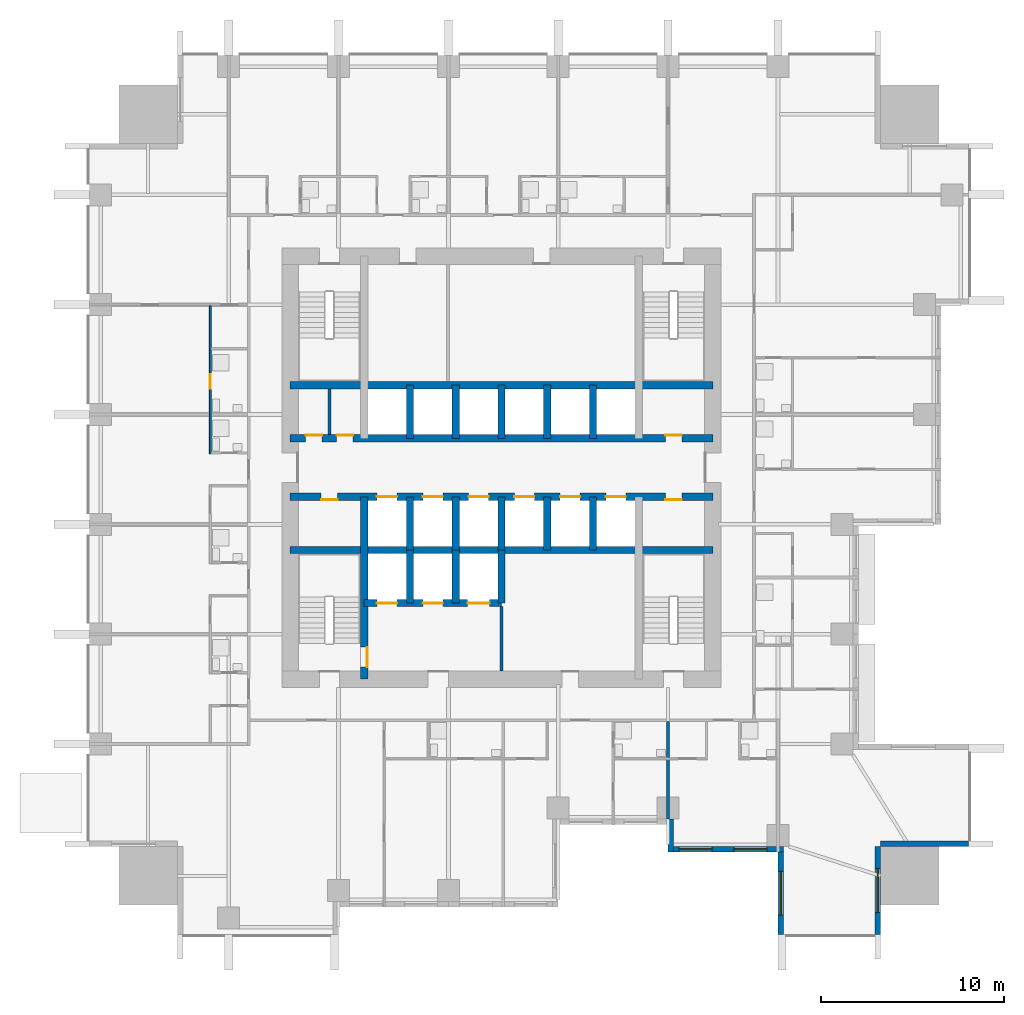
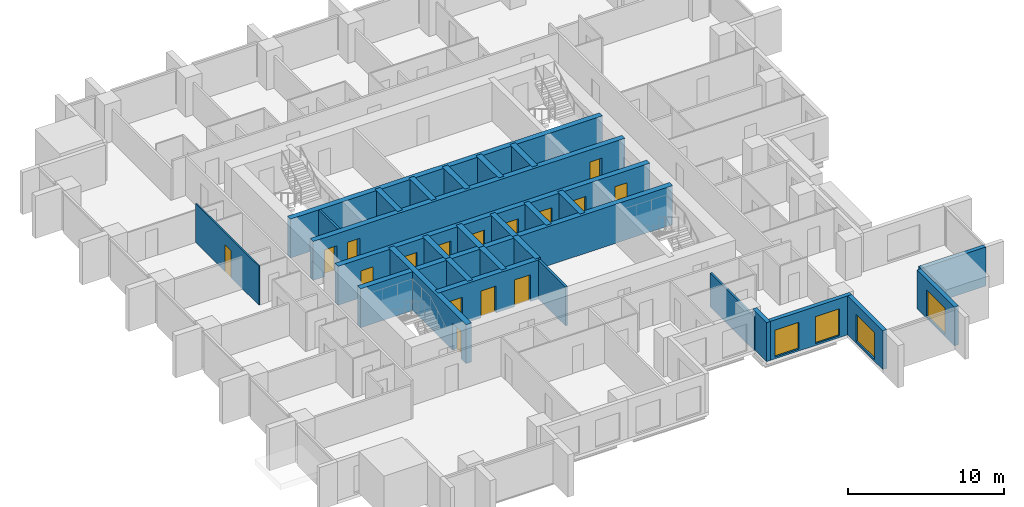
# One storey, part 5 of 10: 28 walls, 16 doors, 4 windows, 20 openings.
"""IFC4 building model written with IfcOpenShell, lengths in metres."""

from ifc_helpers import new_model, si_unit, direction, frame, frame_2d, origin, place, context, subcontext, project, spatial, rectangle, extrude, material, layer, layer_set, type_object, element, fill, save


model = new_model("IFC4")

# Units and contexts
model_context = context("Model", 3, precision=1e-05, world=origin(), true_north=direction((0.0, 1.0)))
body_context = subcontext(model_context, "Body", "Model", "MODEL_VIEW")
ifc_project = project(units=[si_unit("LENGTHUNIT", "METRE"), si_unit("AREAUNIT", "SQUARE_METRE"), si_unit("VOLUMEUNIT", "CUBIC_METRE"), si_unit("PLANEANGLEUNIT", "RADIAN"), si_unit("MASSUNIT", "GRAM", prefix="KILO")], contexts=[model_context])

# Site, building, storey
site_placement = place(None, origin())
site = spatial("IfcSite", under=ifc_project, at=site_placement, CompositionType="ELEMENT")
building_placement = place(site_placement, origin())
building = spatial("IfcBuilding", under=site, at=building_placement, Name="Amberfall Residences", CompositionType="ELEMENT")
storey_placement = place(building_placement, frame((0.0, 0.0, 26.800048828125)))
storey = spatial("IfcBuildingStorey", under=building, at=storey_placement, Name="L06", CompositionType="ELEMENT", Elevation=26.800048828125)

# Wall
ifc_material_1 = material(Name="Pale stone cladding on insulated backing", Category="masonry")
ifc_layer_1 = layer(ifc_material_1, 0.300048828125)
ifc_layer_set_1 = layer_set([ifc_layer_1], Name="Bronze clad wall 300")
wall_type_1 = type_object("IfcWallType", Name="Bronze clad wall 300", PredefinedType="SOLIDWALL", material=ifc_layer_set_1)
wall_1_placement = place(storey_placement, frame((83.75, 26.300048828125, 0.0), z_axis=(0.0, 0.0, 1.0), x_axis=(0.0, -1.0, 0.0)))
element("IfcWall", 1, at=wall_1_placement, inside=storey, type_object=wall_type_1, Name="External wall L06 S", PredefinedType="SOLIDWALL", context=body_context, shape_type="SweptSolid", body=[
    extrude(rectangle(XDim=1.800048828125, YDim=0.300048828125, at=frame_2d((0.89990234375, 0.0))), origin(), (0.0, 0.0, 1.0), 3.050048828125),
])

# Wall, opening, window
wall_2_placement = place(storey_placement, frame((89.75, 24.5, 0.0), z_axis=(0.0, 0.0, 1.0), x_axis=(0.0, -1.0, 0.0)))
wall_2 = element("IfcWall", 2, at=wall_2_placement, inside=storey, type_object=wall_type_1, Name="External wall L06 S", PredefinedType="SOLIDWALL", context=body_context, shape_type="SweptSolid", body=[
    extrude(rectangle(XDim=4.5, YDim=0.300048828125, at=frame_2d((2.25, 0.0))), origin(), (0.0, 0.0, 1.0), 3.050048828125),
])
opening_1_placement = place(wall_2_placement, frame((1.050048828125, 0.0, 0.14990234375)))
opening_1 = element("IfcOpeningElement", 3, at=opening_1_placement, cuts=wall_2, Name="Opening WN5", PredefinedType="OPENING", context=body_context, shape_type="SweptSolid", body=[
    extrude(rectangle(XDim=2.39990234375, YDim=2.10009765625, at=frame_2d((1.199951171875, 1.050048828125))), frame((0.0, 0.159912109375, 0.0), z_axis=(0.0, -1.0, 0.0), x_axis=(1.0, 0.0, 0.0)), (0.0, 0.0, 1.0), 0.320068359375),
])
ifc_material_2 = material(Name="Bronze aluminium framed glazing", Category="aluminium")
window_type_1 = type_object("IfcWindowType", Name="Glazed opening 2400 x 2100 bronze", PartitioningType="DOUBLE_PANEL_VERTICAL", PredefinedType="WINDOW", material=ifc_material_2)
window_1_placement = place(opening_1_placement, origin())
window_1 = element("IfcWindow", 4, at=window_1_placement, inside=storey, type_object=window_type_1, Name="Window L06 S", OverallHeight=2.10009765625, OverallWidth=2.39990234375, PartitioningType="DOUBLE_PANEL_VERTICAL", PredefinedType="WINDOW", context=body_context, shape_type="SweptSolid", body=[
    extrude(rectangle(XDim=2.39990234375, YDim=2.10009765625, at=frame_2d((1.199951171875, 1.050048828125))), frame((0.0, 0.030029296875, 0.0), z_axis=(0.0, -1.0, 0.0), x_axis=(1.0, 0.0, 0.0)), (0.0, 0.0, 1.0), 0.06005859375),
])
fill(opening_1, window_1)

wall_3_placement = place(storey_placement, frame((95.050048828125, 20.0, 0.0), z_axis=(0.0, 0.0, 1.0), x_axis=(0.0, 1.0, 0.0)))
wall_3 = element("IfcWall", 5, at=wall_3_placement, inside=storey, type_object=wall_type_1, Name="External wall L06 SE", PredefinedType="SOLIDWALL", context=body_context, shape_type="SweptSolid", body=[
    extrude(rectangle(XDim=4.800048828125, YDim=0.300048828125, at=frame_2d((2.39990234375, 0.0))), origin(), (0.0, 0.0, 1.0), 3.050048828125),
])
opening_2_placement = place(wall_3_placement, frame((1.199951171875, 0.0, 0.14990234375)))
opening_2 = element("IfcOpeningElement", 6, at=opening_2_placement, cuts=wall_3, Name="Opening WN5", PredefinedType="OPENING", context=body_context, shape_type="SweptSolid", body=[
    extrude(rectangle(XDim=2.39990234375, YDim=2.10009765625, at=frame_2d((1.199951171875, 1.050048828125))), frame((0.0, 0.159912109375, 0.0), z_axis=(0.0, -1.0, 0.0), x_axis=(1.0, 0.0, 0.0)), (0.0, 0.0, 1.0), 0.320068359375),
])
window_2_placement = place(opening_2_placement, origin())
window_2 = element("IfcWindow", 7, at=window_2_placement, inside=storey, type_object=window_type_1, Name="Window L06 SE", OverallHeight=2.10009765625, OverallWidth=2.39990234375, PartitioningType="DOUBLE_PANEL_VERTICAL", PredefinedType="WINDOW", context=body_context, shape_type="SweptSolid", body=[
    extrude(rectangle(XDim=2.39990234375, YDim=2.10009765625, at=frame_2d((1.199951171875, 1.050048828125))), frame((0.0, 0.030029296875, 0.0), z_axis=(0.0, -1.0, 0.0), x_axis=(1.0, 0.0, 0.0)), (0.0, 0.0, 1.0), 0.06005859375),
])
fill(opening_2, window_2)

# Wall
wall_4_placement = place(storey_placement, frame((95.199951171875, 24.949951171875, 0.0), z_axis=(0.0, 0.0, 1.0), x_axis=(1.0, 0.0, 0.0)))
element("IfcWall", 8, at=wall_4_placement, inside=storey, type_object=wall_type_1, Name="External wall L06 SE", PredefinedType="SOLIDWALL", context=body_context, shape_type="SweptSolid", body=[
    extrude(rectangle(XDim=4.800048828125, YDim=0.300048828125, at=frame_2d((2.39990234375, 0.0))), origin(), (0.0, 0.0, 1.0), 3.050048828125),
])

# Wall, openings, windows
wall_5_placement = place(storey_placement, frame((83.89990234375, 24.64990234375, 0.0), z_axis=(0.0, 0.0, 1.0), x_axis=(1.0, 0.0, 0.0)))
wall_5 = element("IfcWall", 9, at=wall_5_placement, inside=storey, type_object=wall_type_1, Name="Stone wall L06 S", PredefinedType="SOLIDWALL", context=body_context, shape_type="SweptSolid", body=[
    extrude(rectangle(XDim=6.0, YDim=0.300048828125, at=frame_2d((3.0, 0.0))), origin(), (0.0, 0.0, 1.0), 3.050048828125),
])
opening_3_placement = place(wall_5_placement, frame((0.300048828125, 0.0, 0.14990234375)))
opening_3 = element("IfcOpeningElement", 10, at=opening_3_placement, cuts=wall_5, Name="Opening WN6", PredefinedType="OPENING", context=body_context, shape_type="SweptSolid", body=[
    extrude(rectangle(XDim=1.800048828125, YDim=2.10009765625, at=frame_2d((0.89990234375, 1.050048828125))), frame((0.0, 0.159912109375, 0.0), z_axis=(0.0, -1.0, 0.0), x_axis=(1.0, 0.0, 0.0)), (0.0, 0.0, 1.0), 0.320068359375),
])
opening_4_placement = place(wall_5_placement, frame((3.300048828125, 0.0, 0.14990234375)))
opening_4 = element("IfcOpeningElement", 11, at=opening_4_placement, cuts=wall_5, Name="Opening WN6", PredefinedType="OPENING", context=body_context, shape_type="SweptSolid", body=[
    extrude(rectangle(XDim=1.800048828125, YDim=2.10009765625, at=frame_2d((0.89990234375, 1.050048828125))), frame((0.0, 0.159912109375, 0.0), z_axis=(0.0, -1.0, 0.0), x_axis=(1.0, 0.0, 0.0)), (0.0, 0.0, 1.0), 0.320068359375),
])
window_type_2 = type_object("IfcWindowType", Name="Glazed opening 1800 x 2100 bronze", PartitioningType="DOUBLE_PANEL_VERTICAL", PredefinedType="WINDOW", material=ifc_material_2)
window_3_placement = place(opening_3_placement, origin())
window_3 = element("IfcWindow", 12, at=window_3_placement, inside=storey, type_object=window_type_2, Name="Window L06 S", OverallHeight=2.10009765625, OverallWidth=1.800048828125, PartitioningType="DOUBLE_PANEL_VERTICAL", PredefinedType="WINDOW", context=body_context, shape_type="SweptSolid", body=[
    extrude(rectangle(XDim=1.800048828125, YDim=2.10009765625, at=frame_2d((0.89990234375, 1.050048828125))), frame((0.0, 0.030029296875, 0.0), z_axis=(0.0, -1.0, 0.0), x_axis=(1.0, 0.0, 0.0)), (0.0, 0.0, 1.0), 0.06005859375),
])
fill(opening_3, window_3)
window_4_placement = place(opening_4_placement, origin())
window_4 = element("IfcWindow", 13, at=window_4_placement, inside=storey, type_object=window_type_2, Name="Window L06 S", OverallHeight=2.10009765625, OverallWidth=1.800048828125, PartitioningType="DOUBLE_PANEL_VERTICAL", PredefinedType="WINDOW", context=body_context, shape_type="SweptSolid", body=[
    extrude(rectangle(XDim=1.800048828125, YDim=2.10009765625, at=frame_2d((0.89990234375, 1.050048828125))), frame((0.0, 0.030029296875, 0.0), z_axis=(0.0, -1.0, 0.0), x_axis=(1.0, 0.0, 0.0)), (0.0, 0.0, 1.0), 0.06005859375),
])
fill(opening_4, window_4)

# Wall
ifc_material_3 = material(Name="Concrete C80", Category="concrete")
ifc_layer_2 = layer(ifc_material_3, 0.39990234375)
ifc_layer_set_2 = layer_set([ifc_layer_2], Name="Core wall 400 C80")
wall_type_2 = type_object("IfcWallType", Name="Core wall 400 C80", PredefinedType="SHEAR", material=ifc_layer_set_2)
wall_6_placement = place(storey_placement, frame((62.949951171875, 41.0, 0.0), z_axis=(0.0, 0.0, 1.0), x_axis=(1.0, 0.0, 0.0)))
element("IfcWall", 14, at=wall_6_placement, inside=storey, type_object=wall_type_2, Name="Core wall RW2 L06 H75", PredefinedType="SHEAR", context=body_context, shape_type="SweptSolid", body=[
    extrude(rectangle(XDim=23.10009765625, YDim=0.39990234375, at=frame_2d((11.550048828125, 0.0))), origin(), (0.0, 0.0, 1.0), 3.050048828125),
])

# Wall, openings, doors
wall_7_placement = place(storey_placement, frame((62.949951171875, 43.89990234375, 0.0), z_axis=(0.0, 0.0, 1.0), x_axis=(1.0, 0.0, 0.0)))
wall_7 = element("IfcWall", 15, at=wall_7_placement, inside=storey, type_object=wall_type_2, Name="Core wall RW2 L06 H104", PredefinedType="SHEAR", context=body_context, shape_type="SweptSolid", body=[
    extrude(rectangle(XDim=23.10009765625, YDim=0.39990234375, at=frame_2d((11.550048828125, 0.0))), origin(), (0.0, 0.0, 1.0), 3.050048828125),
])
opening_5_placement = place(wall_7_placement, frame((1.699951171875, 0.0, 0.0)))
opening_5 = element("IfcOpeningElement", 16, at=opening_5_placement, cuts=wall_7, Name="Opening RD1", PredefinedType="OPENING", context=body_context, shape_type="SweptSolid", body=[
    extrude(rectangle(XDim=0.89990234375, YDim=2.10009765625, at=frame_2d((0.449951171875, 1.050048828125))), frame((0.0, 0.2099609375, 0.0), z_axis=(0.0, -1.0, 0.0), x_axis=(1.0, 0.0, 0.0)), (0.0, 0.0, 1.0), 0.419921875),
])
opening_6_placement = place(wall_7_placement, frame((20.5, 0.0, 0.0)))
opening_6 = element("IfcOpeningElement", 17, at=opening_6_placement, cuts=wall_7, Name="Opening RD1", PredefinedType="OPENING", context=body_context, shape_type="SweptSolid", body=[
    extrude(rectangle(XDim=0.89990234375, YDim=2.10009765625, at=frame_2d((0.449951171875, 1.050048828125))), frame((0.0, 0.2099609375, 0.0), z_axis=(0.0, -1.0, 0.0), x_axis=(1.0, 0.0, 0.0)), (0.0, 0.0, 1.0), 0.419921875),
])
opening_7_placement = place(wall_7_placement, frame((4.75, 0.0, 0.0)))
opening_7 = element("IfcOpeningElement", 18, at=opening_7_placement, cuts=wall_7, Name="Opening LD1", PredefinedType="OPENING", context=body_context, shape_type="SweptSolid", body=[
    extrude(rectangle(XDim=1.10009765625, YDim=2.10009765625, at=frame_2d((0.550048828125, 1.050048828125))), frame((0.0, 0.2099609375, 0.0), z_axis=(0.0, -1.0, 0.0), x_axis=(1.0, 0.0, 0.0)), (0.0, 0.0, 1.0), 0.419921875),
])
opening_8_placement = place(wall_7_placement, frame((7.25, 0.0, 0.0)))
opening_8 = element("IfcOpeningElement", 19, at=opening_8_placement, cuts=wall_7, Name="Opening LD1", PredefinedType="OPENING", context=body_context, shape_type="SweptSolid", body=[
    extrude(rectangle(XDim=1.10009765625, YDim=2.10009765625, at=frame_2d((0.550048828125, 1.050048828125))), frame((0.0, 0.2099609375, 0.0), z_axis=(0.0, -1.0, 0.0), x_axis=(1.0, 0.0, 0.0)), (0.0, 0.0, 1.0), 0.419921875),
])
opening_9_placement = place(wall_7_placement, frame((9.75, 0.0, 0.0)))
opening_9 = element("IfcOpeningElement", 20, at=opening_9_placement, cuts=wall_7, Name="Opening LD1", PredefinedType="OPENING", context=body_context, shape_type="SweptSolid", body=[
    extrude(rectangle(XDim=1.10009765625, YDim=2.10009765625, at=frame_2d((0.550048828125, 1.050048828125))), frame((0.0, 0.2099609375, 0.0), z_axis=(0.0, -1.0, 0.0), x_axis=(1.0, 0.0, 0.0)), (0.0, 0.0, 1.0), 0.419921875),
])
opening_10_placement = place(wall_7_placement, frame((12.25, 0.0, 0.0)))
opening_10 = element("IfcOpeningElement", 21, at=opening_10_placement, cuts=wall_7, Name="Opening LD1", PredefinedType="OPENING", context=body_context, shape_type="SweptSolid", body=[
    extrude(rectangle(XDim=1.10009765625, YDim=2.10009765625, at=frame_2d((0.550048828125, 1.050048828125))), frame((0.0, 0.2099609375, 0.0), z_axis=(0.0, -1.0, 0.0), x_axis=(1.0, 0.0, 0.0)), (0.0, 0.0, 1.0), 0.419921875),
])
opening_11_placement = place(wall_7_placement, frame((14.75, 0.0, 0.0)))
opening_11 = element("IfcOpeningElement", 22, at=opening_11_placement, cuts=wall_7, Name="Opening LD1", PredefinedType="OPENING", context=body_context, shape_type="SweptSolid", body=[
    extrude(rectangle(XDim=1.10009765625, YDim=2.10009765625, at=frame_2d((0.550048828125, 1.050048828125))), frame((0.0, 0.2099609375, 0.0), z_axis=(0.0, -1.0, 0.0), x_axis=(1.0, 0.0, 0.0)), (0.0, 0.0, 1.0), 0.419921875),
])
opening_12_placement = place(wall_7_placement, frame((17.25, 0.0, 0.0)))
opening_12 = element("IfcOpeningElement", 23, at=opening_12_placement, cuts=wall_7, Name="Opening LD1", PredefinedType="OPENING", context=body_context, shape_type="SweptSolid", body=[
    extrude(rectangle(XDim=1.10009765625, YDim=2.10009765625, at=frame_2d((0.550048828125, 1.050048828125))), frame((0.0, 0.2099609375, 0.0), z_axis=(0.0, -1.0, 0.0), x_axis=(1.0, 0.0, 0.0)), (0.0, 0.0, 1.0), 0.419921875),
])
ifc_material_4 = material(Name="Steel fire door set", Category="steel")
door_type_1 = type_object("IfcDoorType", Name="Lift landing door 1100 x 2100", OperationType="DOUBLE_DOOR_SLIDING", PredefinedType="DOOR", material=ifc_material_4)
door_1_placement = place(opening_7_placement, origin())
door_1 = element("IfcDoor", 24, at=door_1_placement, inside=storey, type_object=door_type_1, Name="Landing door LP1 L06", OperationType="DOUBLE_DOOR_SLIDING", OverallHeight=2.10009765625, OverallWidth=1.10009765625, PredefinedType="DOOR", context=body_context, shape_type="SweptSolid", body=[
    extrude(rectangle(XDim=1.10009765625, YDim=2.10009765625, at=frame_2d((0.550048828125, 1.050048828125))), frame((0.0, 0.02490234375, 0.0), z_axis=(0.0, -1.0, 0.0), x_axis=(1.0, 0.0, 0.0)), (0.0, 0.0, 1.0), 0.050048828125),
])
fill(opening_7, door_1)
door_2_placement = place(opening_8_placement, origin())
door_2 = element("IfcDoor", 25, at=door_2_placement, inside=storey, type_object=door_type_1, Name="Landing door LP2 L06", OperationType="DOUBLE_DOOR_SLIDING", OverallHeight=2.10009765625, OverallWidth=1.10009765625, PredefinedType="DOOR", context=body_context, shape_type="SweptSolid", body=[
    extrude(rectangle(XDim=1.10009765625, YDim=2.10009765625, at=frame_2d((0.550048828125, 1.050048828125))), frame((0.0, 0.02490234375, 0.0), z_axis=(0.0, -1.0, 0.0), x_axis=(1.0, 0.0, 0.0)), (0.0, 0.0, 1.0), 0.050048828125),
])
fill(opening_8, door_2)
door_3_placement = place(opening_9_placement, origin())
door_3 = element("IfcDoor", 26, at=door_3_placement, inside=storey, type_object=door_type_1, Name="Landing door LP3 L06", OperationType="DOUBLE_DOOR_SLIDING", OverallHeight=2.10009765625, OverallWidth=1.10009765625, PredefinedType="DOOR", context=body_context, shape_type="SweptSolid", body=[
    extrude(rectangle(XDim=1.10009765625, YDim=2.10009765625, at=frame_2d((0.550048828125, 1.050048828125))), frame((0.0, 0.02490234375, 0.0), z_axis=(0.0, -1.0, 0.0), x_axis=(1.0, 0.0, 0.0)), (0.0, 0.0, 1.0), 0.050048828125),
])
fill(opening_9, door_3)
door_4_placement = place(opening_10_placement, origin())
door_4 = element("IfcDoor", 27, at=door_4_placement, inside=storey, type_object=door_type_1, Name="Landing door LP4 L06", OperationType="DOUBLE_DOOR_SLIDING", OverallHeight=2.10009765625, OverallWidth=1.10009765625, PredefinedType="DOOR", context=body_context, shape_type="SweptSolid", body=[
    extrude(rectangle(XDim=1.10009765625, YDim=2.10009765625, at=frame_2d((0.550048828125, 1.050048828125))), frame((0.0, 0.02490234375, 0.0), z_axis=(0.0, -1.0, 0.0), x_axis=(1.0, 0.0, 0.0)), (0.0, 0.0, 1.0), 0.050048828125),
])
fill(opening_10, door_4)
door_5_placement = place(opening_11_placement, origin())
door_5 = element("IfcDoor", 28, at=door_5_placement, inside=storey, type_object=door_type_1, Name="Landing door LP5 L06", OperationType="DOUBLE_DOOR_SLIDING", OverallHeight=2.10009765625, OverallWidth=1.10009765625, PredefinedType="DOOR", context=body_context, shape_type="SweptSolid", body=[
    extrude(rectangle(XDim=1.10009765625, YDim=2.10009765625, at=frame_2d((0.550048828125, 1.050048828125))), frame((0.0, 0.02490234375, 0.0), z_axis=(0.0, -1.0, 0.0), x_axis=(1.0, 0.0, 0.0)), (0.0, 0.0, 1.0), 0.050048828125),
])
fill(opening_11, door_5)
door_6_placement = place(opening_12_placement, origin())
door_6 = element("IfcDoor", 29, at=door_6_placement, inside=storey, type_object=door_type_1, Name="Landing door LP6 L06", OperationType="DOUBLE_DOOR_SLIDING", OverallHeight=2.10009765625, OverallWidth=1.10009765625, PredefinedType="DOOR", context=body_context, shape_type="SweptSolid", body=[
    extrude(rectangle(XDim=1.10009765625, YDim=2.10009765625, at=frame_2d((0.550048828125, 1.050048828125))), frame((0.0, 0.02490234375, 0.0), z_axis=(0.0, -1.0, 0.0), x_axis=(1.0, 0.0, 0.0)), (0.0, 0.0, 1.0), 0.050048828125),
])
fill(opening_12, door_6)
door_type_2 = type_object("IfcDoorType", Name="Service room door 900 x 2100", OperationType="SINGLE_SWING_LEFT", PredefinedType="DOOR", material=ifc_material_4)
door_7_placement = place(opening_5_placement, origin())
door_7 = element("IfcDoor", 30, at=door_7_placement, inside=storey, type_object=door_type_2, Name="RD1 L06", OperationType="SINGLE_SWING_LEFT", OverallHeight=2.10009765625, OverallWidth=0.89990234375, PredefinedType="DOOR", context=body_context, shape_type="SweptSolid", body=[
    extrude(rectangle(XDim=0.89990234375, YDim=2.10009765625, at=frame_2d((0.449951171875, 1.050048828125))), frame((0.0, -0.1376953125, 0.0), z_axis=(0.0, -1.0, 0.0), x_axis=(1.0, 0.0, 0.0)), (0.0, 0.0, 1.0), 0.050048828125),
])
fill(opening_5, door_7)
door_8_placement = place(opening_6_placement, origin())
door_8 = element("IfcDoor", 31, at=door_8_placement, inside=storey, type_object=door_type_2, Name="RD1 L06", OperationType="SINGLE_SWING_LEFT", OverallHeight=2.10009765625, OverallWidth=0.89990234375, PredefinedType="DOOR", context=body_context, shape_type="SweptSolid", body=[
    extrude(rectangle(XDim=0.89990234375, YDim=2.10009765625, at=frame_2d((0.449951171875, 1.050048828125))), frame((0.0, -0.1376953125, 0.0), z_axis=(0.0, -1.0, 0.0), x_axis=(1.0, 0.0, 0.0)), (0.0, 0.0, 1.0), 0.050048828125),
])
fill(opening_6, door_8)

wall_8_placement = place(storey_placement, frame((62.949951171875, 47.10009765625, 0.0), z_axis=(0.0, 0.0, 1.0), x_axis=(1.0, 0.0, 0.0)))
wall_8 = element("IfcWall", 32, at=wall_8_placement, inside=storey, type_object=wall_type_2, Name="Core wall RW2 L06 H136", PredefinedType="SHEAR", context=body_context, shape_type="SweptSolid", body=[
    extrude(rectangle(XDim=23.10009765625, YDim=0.39990234375, at=frame_2d((11.550048828125, 0.0))), origin(), (0.0, 0.0, 1.0), 3.050048828125),
])
opening_13_placement = place(wall_8_placement, frame((0.85009765625, 0.0, 0.0)))
opening_13 = element("IfcOpeningElement", 33, at=opening_13_placement, cuts=wall_8, Name="Opening RD1", PredefinedType="OPENING", context=body_context, shape_type="SweptSolid", body=[
    extrude(rectangle(XDim=0.89990234375, YDim=2.10009765625, at=frame_2d((0.449951171875, 1.050048828125))), frame((0.0, 0.2099609375, 0.0), z_axis=(0.0, -1.0, 0.0), x_axis=(1.0, 0.0, 0.0)), (0.0, 0.0, 1.0), 0.419921875),
])
opening_14_placement = place(wall_8_placement, frame((2.550048828125, 0.0, 0.0)))
opening_14 = element("IfcOpeningElement", 34, at=opening_14_placement, cuts=wall_8, Name="Opening RD1", PredefinedType="OPENING", context=body_context, shape_type="SweptSolid", body=[
    extrude(rectangle(XDim=0.89990234375, YDim=2.10009765625, at=frame_2d((0.449951171875, 1.050048828125))), frame((0.0, 0.2099609375, 0.0), z_axis=(0.0, -1.0, 0.0), x_axis=(1.0, 0.0, 0.0)), (0.0, 0.0, 1.0), 0.419921875),
])
opening_15_placement = place(wall_8_placement, frame((20.5, 0.0, 0.0)))
opening_15 = element("IfcOpeningElement", 35, at=opening_15_placement, cuts=wall_8, Name="Opening RD1", PredefinedType="OPENING", context=body_context, shape_type="SweptSolid", body=[
    extrude(rectangle(XDim=0.89990234375, YDim=2.10009765625, at=frame_2d((0.449951171875, 1.050048828125))), frame((0.0, 0.2099609375, 0.0), z_axis=(0.0, -1.0, 0.0), x_axis=(1.0, 0.0, 0.0)), (0.0, 0.0, 1.0), 0.419921875),
])
door_9_placement = place(opening_13_placement, origin())
door_9 = element("IfcDoor", 36, at=door_9_placement, inside=storey, type_object=door_type_2, Name="RD1 L06", OperationType="SINGLE_SWING_LEFT", OverallHeight=2.10009765625, OverallWidth=0.89990234375, PredefinedType="DOOR", context=body_context, shape_type="SweptSolid", body=[
    extrude(rectangle(XDim=0.89990234375, YDim=2.10009765625, at=frame_2d((0.449951171875, 1.050048828125))), frame((0.0, 0.1875, 0.0), z_axis=(0.0, -1.0, 0.0), x_axis=(1.0, 0.0, 0.0)), (0.0, 0.0, 1.0), 0.050048828125),
])
fill(opening_13, door_9)
door_10_placement = place(opening_14_placement, origin())
door_10 = element("IfcDoor", 37, at=door_10_placement, inside=storey, type_object=door_type_2, Name="RD1 L06", OperationType="SINGLE_SWING_RIGHT", OverallHeight=2.10009765625, OverallWidth=0.89990234375, PredefinedType="DOOR", context=body_context, shape_type="SweptSolid", body=[
    extrude(rectangle(XDim=0.89990234375, YDim=2.10009765625, at=frame_2d((0.449951171875, 1.050048828125))), frame((0.0, 0.1875, 0.0), z_axis=(0.0, -1.0, 0.0), x_axis=(1.0, 0.0, 0.0)), (0.0, 0.0, 1.0), 0.050048828125),
])
fill(opening_14, door_10)
door_11_placement = place(opening_15_placement, origin())
door_11 = element("IfcDoor", 38, at=door_11_placement, inside=storey, type_object=door_type_2, Name="RD1 L06", OperationType="SINGLE_SWING_LEFT", OverallHeight=2.10009765625, OverallWidth=0.89990234375, PredefinedType="DOOR", context=body_context, shape_type="SweptSolid", body=[
    extrude(rectangle(XDim=0.89990234375, YDim=2.10009765625, at=frame_2d((0.449951171875, 1.050048828125))), frame((0.0, 0.1875, 0.0), z_axis=(0.0, -1.0, 0.0), x_axis=(1.0, 0.0, 0.0)), (0.0, 0.0, 1.0), 0.050048828125),
])
fill(opening_15, door_11)

# Wall
wall_9_placement = place(storey_placement, frame((62.949951171875, 50.0, 0.0), z_axis=(0.0, 0.0, 1.0), x_axis=(1.0, 0.0, 0.0)))
element("IfcWall", 39, at=wall_9_placement, inside=storey, type_object=wall_type_2, Name="Core wall RW2 L06 H165", PredefinedType="SHEAR", context=body_context, shape_type="SweptSolid", body=[
    extrude(rectangle(XDim=23.10009765625, YDim=0.39990234375, at=frame_2d((11.550048828125, 0.0))), origin(), (0.0, 0.0, 1.0), 3.050048828125),
])

# Wall, opening, door
wall_10_placement = place(storey_placement, frame((67.0, 33.949951171875, 0.0), z_axis=(0.0, 0.0, 1.0), x_axis=(0.0, 1.0, 0.0)))
wall_10 = element("IfcWall", 40, at=wall_10_placement, inside=storey, type_object=wall_type_2, Name="Core wall RW2 L06 V45S", PredefinedType="SHEAR", context=body_context, shape_type="SweptSolid", body=[
    extrude(rectangle(XDim=9.949951171875, YDim=0.39990234375, at=frame_2d((4.97509765625, 0.0))), origin(), (0.0, 0.0, 1.0), 3.050048828125),
])
opening_16_placement = place(wall_10_placement, frame((0.64990234375, 0.0, 0.0)))
opening_16 = element("IfcOpeningElement", 41, at=opening_16_placement, cuts=wall_10, Name="Opening FL1", PredefinedType="OPENING", context=body_context, shape_type="SweptSolid", body=[
    extrude(rectangle(XDim=1.10009765625, YDim=2.10009765625, at=frame_2d((0.550048828125, 1.050048828125))), frame((0.0, 0.2099609375, 0.0), z_axis=(0.0, -1.0, 0.0), x_axis=(1.0, 0.0, 0.0)), (0.0, 0.0, 1.0), 0.419921875),
])
door_type_3 = type_object("IfcDoorType", Name="Firefighting lobby door 1100 x 2100", OperationType="SINGLE_SWING_LEFT", PredefinedType="DOOR", material=ifc_material_4)
door_12_placement = place(opening_16_placement, origin())
door_12 = element("IfcDoor", 42, at=door_12_placement, inside=storey, type_object=door_type_3, Name="FL1 L06", OperationType="SINGLE_SWING_RIGHT", OverallHeight=2.10009765625, OverallWidth=1.10009765625, PredefinedType="DOOR", context=body_context, shape_type="SweptSolid", body=[
    extrude(rectangle(XDim=1.10009765625, YDim=2.10009765625, at=frame_2d((0.550048828125, 1.050048828125))), frame((0.0, -0.1376953125, 0.0), z_axis=(0.0, -1.0, 0.0), x_axis=(1.0, 0.0, 0.0)), (0.0, 0.0, 1.0), 0.050048828125),
])
fill(opening_16, door_12)

# Walls
for number, where, z_axis, x_axis, name in (
    (43, (69.5, 41.0, 0.0), (0.0, 0.0, 1.0), (0.0, 1.0, 0.0), "Core wall RW2 L06 LPD1"),
    (44, (69.5, 47.10009765625, 0.0), (0.0, 0.0, 1.0), (0.0, 1.0, 0.0), "Core wall RW2 L06 HPD1"),
    (45, (72.0, 41.0, 0.0), (0.0, 0.0, 1.0), (0.0, 1.0, 0.0), "Core wall RW2 L06 LPD2"),
    (46, (72.0, 47.10009765625, 0.0), (0.0, 0.0, 1.0), (0.0, 1.0, 0.0), "Core wall RW2 L06 HPD2"),
    (47, (74.5, 41.0, 0.0), (0.0, 0.0, 1.0), (0.0, 1.0, 0.0), "Core wall RW2 L06 LPD3"),
    (48, (74.5, 47.10009765625, 0.0), (0.0, 0.0, 1.0), (0.0, 1.0, 0.0), "Core wall RW2 L06 HPD3"),
    (49, (77.0, 41.0, 0.0), (0.0, 0.0, 1.0), (0.0, 1.0, 0.0), "Core wall RW2 L06 LPD4"),
    (50, (77.0, 47.10009765625, 0.0), (0.0, 0.0, 1.0), (0.0, 1.0, 0.0), "Core wall RW2 L06 HPD4"),
    (51, (79.5, 41.0, 0.0), (0.0, 0.0, 1.0), (0.0, 1.0, 0.0), "Core wall RW2 L06 LPD5"),
    (52, (79.5, 47.10009765625, 0.0), (0.0, 0.0, 1.0), (0.0, 1.0, 0.0), "Core wall RW2 L06 HPD5"),
):
    element("IfcWall", number, at=place(storey_placement, frame(where, z_axis=z_axis, x_axis=x_axis)), inside=storey, type_object=wall_type_2, Name=name, PredefinedType="SHEAR", context=body_context, shape_type="SweptSolid", body=[
        extrude(rectangle(XDim=2.89990234375, YDim=0.39990234375, at=frame_2d((1.449951171875, 0.0))), origin(), (0.0, 0.0, 1.0), 3.050048828125),
    ])

# Wall, openings, doors
wall_11_placement = place(storey_placement, frame((67.0, 38.10009765625, 0.0), z_axis=(0.0, 0.0, 1.0), x_axis=(1.0, 0.0, 0.0)))
wall_11 = element("IfcWall", 53, at=wall_11_placement, inside=storey, type_object=wall_type_2, Name="Core wall RW2 L06 FFF", PredefinedType="SHEAR", context=body_context, shape_type="SweptSolid", body=[
    extrude(rectangle(XDim=7.5, YDim=0.39990234375, at=frame_2d((3.75, 0.0))), origin(), (0.0, 0.0, 1.0), 3.050048828125),
])
opening_17_placement = place(wall_11_placement, frame((0.699951171875, 0.0, 0.0)))
opening_17 = element("IfcOpeningElement", 54, at=opening_17_placement, cuts=wall_11, Name="Opening LD2", PredefinedType="OPENING", context=body_context, shape_type="SweptSolid", body=[
    extrude(rectangle(XDim=1.10009765625, YDim=2.10009765625, at=frame_2d((0.550048828125, 1.050048828125))), frame((0.0, 0.2099609375, 0.0), z_axis=(0.0, -1.0, 0.0), x_axis=(1.0, 0.0, 0.0)), (0.0, 0.0, 1.0), 0.419921875),
])
opening_18_placement = place(wall_11_placement, frame((3.199951171875, 0.0, 0.0)))
opening_18 = element("IfcOpeningElement", 55, at=opening_18_placement, cuts=wall_11, Name="Opening LD2", PredefinedType="OPENING", context=body_context, shape_type="SweptSolid", body=[
    extrude(rectangle(XDim=1.10009765625, YDim=2.10009765625, at=frame_2d((0.550048828125, 1.050048828125))), frame((0.0, 0.2099609375, 0.0), z_axis=(0.0, -1.0, 0.0), x_axis=(1.0, 0.0, 0.0)), (0.0, 0.0, 1.0), 0.419921875),
])
opening_19_placement = place(wall_11_placement, frame((5.64990234375, 0.0, 0.0)))
opening_19 = element("IfcOpeningElement", 56, at=opening_19_placement, cuts=wall_11, Name="Opening LD3", PredefinedType="OPENING", context=body_context, shape_type="SweptSolid", body=[
    extrude(rectangle(XDim=1.199951171875, YDim=2.10009765625, at=frame_2d((0.60009765625, 1.050048828125))), frame((0.0, 0.2099609375, 0.0), z_axis=(0.0, -1.0, 0.0), x_axis=(1.0, 0.0, 0.0)), (0.0, 0.0, 1.0), 0.419921875),
])
door_type_4 = type_object("IfcDoorType", Name="Firefighting lift landing door 1100 x 2100", OperationType="DOUBLE_DOOR_SLIDING", PredefinedType="DOOR", material=ifc_material_4)
door_13_placement = place(opening_17_placement, origin())
door_13 = element("IfcDoor", 57, at=door_13_placement, inside=storey, type_object=door_type_4, Name="Landing door FF1 L06", OperationType="DOUBLE_DOOR_SLIDING", OverallHeight=2.10009765625, OverallWidth=1.10009765625, PredefinedType="DOOR", context=body_context, shape_type="SweptSolid", body=[
    extrude(rectangle(XDim=1.10009765625, YDim=2.10009765625, at=frame_2d((0.550048828125, 1.050048828125))), frame((0.0, 0.02490234375, 0.0), z_axis=(0.0, -1.0, 0.0), x_axis=(1.0, 0.0, 0.0)), (0.0, 0.0, 1.0), 0.050048828125),
])
fill(opening_17, door_13)
door_14_placement = place(opening_18_placement, origin())
door_14 = element("IfcDoor", 58, at=door_14_placement, inside=storey, type_object=door_type_4, Name="Landing door FF2 L06", OperationType="DOUBLE_DOOR_SLIDING", OverallHeight=2.10009765625, OverallWidth=1.10009765625, PredefinedType="DOOR", context=body_context, shape_type="SweptSolid", body=[
    extrude(rectangle(XDim=1.10009765625, YDim=2.10009765625, at=frame_2d((0.550048828125, 1.050048828125))), frame((0.0, 0.02490234375, 0.0), z_axis=(0.0, -1.0, 0.0), x_axis=(1.0, 0.0, 0.0)), (0.0, 0.0, 1.0), 0.050048828125),
])
fill(opening_18, door_14)
door_type_5 = type_object("IfcDoorType", Name="Service lift landing door 1200 x 2100", OperationType="DOUBLE_DOOR_SLIDING", PredefinedType="DOOR", material=ifc_material_4)
door_15_placement = place(opening_19_placement, origin())
door_15 = element("IfcDoor", 59, at=door_15_placement, inside=storey, type_object=door_type_5, Name="Landing door SL1 L06", OperationType="DOUBLE_DOOR_SLIDING", OverallHeight=2.10009765625, OverallWidth=1.199951171875, PredefinedType="DOOR", context=body_context, shape_type="SweptSolid", body=[
    extrude(rectangle(XDim=1.199951171875, YDim=2.10009765625, at=frame_2d((0.60009765625, 1.050048828125))), frame((0.0, 0.02490234375, 0.0), z_axis=(0.0, -1.0, 0.0), x_axis=(1.0, 0.0, 0.0)), (0.0, 0.0, 1.0), 0.050048828125),
])
fill(opening_19, door_15)

# Walls
for number, where, z_axis, x_axis, name in (
    (60, (69.5, 38.10009765625, 0.0), (0.0, 0.0, 1.0), (0.0, 1.0, 0.0), "Core wall RW2 L06 FFD1"),
    (61, (72.0, 38.10009765625, 0.0), (0.0, 0.0, 1.0), (0.0, 1.0, 0.0), "Core wall RW2 L06 FFD2"),
    (62, (74.5, 38.10009765625, 0.0), (0.0, 0.0, 1.0), (0.0, 1.0, 0.0), "Core wall RW2 L06 FFD3"),
):
    element("IfcWall", number, at=place(storey_placement, frame(where, z_axis=z_axis, x_axis=x_axis)), inside=storey, type_object=wall_type_2, Name=name, PredefinedType="SHEAR", context=body_context, shape_type="SweptSolid", body=[
        extrude(rectangle(XDim=2.89990234375, YDim=0.39990234375, at=frame_2d((1.449951171875, 0.0))), origin(), (0.0, 0.0, 1.0), 3.050048828125),
    ])

# Wall, opening, door
ifc_material_5 = material(Name="Gypsum board on metal stud")
ifc_layer_3 = layer(ifc_material_5, 0.10009765625)
ifc_layer_set_3 = layer_set([ifc_layer_3], Name="Flat partition 100")
wall_type_3 = type_object("IfcWallType", Name="Flat partition 100", PredefinedType="PARTITIONING", material=ifc_layer_set_3)
wall_12_placement = place(storey_placement, frame((58.60009765625, 54.35009765625, 0.0), z_axis=(0.0, 0.0, 1.0), x_axis=(0.0, -1.0, 0.0)))
wall_12 = element("IfcWall", 63, at=wall_12_placement, inside=storey, type_object=wall_type_3, Name="Partition 004", PredefinedType="PARTITIONING", context=body_context, shape_type="SweptSolid", body=[
    extrude(rectangle(XDim=8.10009765625, YDim=0.10009765625, at=frame_2d((4.050048828125, 0.0))), origin(), (0.0, 0.0, 1.0), 3.050048828125),
])
opening_20_placement = place(wall_12_placement, frame((3.75, 0.0, 0.0)))
opening_20 = element("IfcOpeningElement", 64, at=opening_20_placement, cuts=wall_12, Name="Opening D42", PredefinedType="OPENING", context=body_context, shape_type="SweptSolid", body=[
    extrude(rectangle(XDim=0.800048828125, YDim=2.10009765625, at=frame_2d((0.39990234375, 1.050048828125))), frame((0.0, 0.06005859375, 0.0), z_axis=(0.0, -1.0, 0.0), x_axis=(1.0, 0.0, 0.0)), (0.0, 0.0, 1.0), 0.1201171875),
])
ifc_material_6 = material(Name="Timber", Category="wood")
door_type_6 = type_object("IfcDoorType", Name="Bathroom door 800 x 2100", OperationType="SINGLE_SWING_LEFT", PredefinedType="DOOR", material=ifc_material_6)
door_16_placement = place(opening_20_placement, origin())
door_16 = element("IfcDoor", 65, at=door_16_placement, inside=storey, type_object=door_type_6, Name="Door 0614 bath1", OperationType="SINGLE_SWING_LEFT", OverallHeight=2.10009765625, OverallWidth=0.800048828125, PredefinedType="DOOR", context=body_context, shape_type="SweptSolid", body=[
    extrude(rectangle(XDim=0.800048828125, YDim=2.10009765625, at=frame_2d((0.39990234375, 1.050048828125))), frame((0.0, 0.02490234375, 0.0), z_axis=(0.0, -1.0, 0.0), x_axis=(1.0, 0.0, 0.0)), (0.0, 0.0, 1.0), 0.050048828125),
])
fill(opening_20, door_16)

# Walls
ifc_material_7 = material(Name="Blockwork, plastered", Category="masonry")
ifc_layer_4 = layer(ifc_material_7, 0.14990234375)
ifc_layer_set_4 = layer_set([ifc_layer_4], Name="Flat separating wall 150")
wall_type_4 = type_object("IfcWallType", Name="Flat separating wall 150", PredefinedType="PARTITIONING", material=ifc_layer_set_4)
wall_13_placement = place(storey_placement, frame((83.60009765625, 26.0, 0.0), z_axis=(0.0, 0.0, 1.0), x_axis=(0.0, 1.0, 0.0)))
element("IfcWall", 66, at=wall_13_placement, inside=storey, type_object=wall_type_4, Name="Separating wall 050", PredefinedType="PARTITIONING", context=body_context, shape_type="SweptSolid", body=[
    extrude(rectangle(XDim=5.625, YDim=0.14990234375, at=frame_2d((2.8125, 0.0))), origin(), (0.0, 0.0, 1.0), 2.64697265625),
])
ifc_material_8 = material(Name="Concrete blockwork", Category="masonry")
ifc_layer_5 = layer(ifc_material_8, 0.14990234375)
ifc_layer_set_5 = layer_set([ifc_layer_5], Name="Riser wall 150")
wall_type_5 = type_object("IfcWallType", Name="Riser wall 150", PredefinedType="PLUMBINGWALL", material=ifc_layer_set_5)
wall_14_placement = place(storey_placement, frame((74.5, 34.39990234375, 0.0), z_axis=(0.0, 0.0, 1.0), x_axis=(0.0, 1.0, 0.0)))
element("IfcWall", 67, at=wall_14_placement, inside=storey, type_object=wall_type_5, Name="L06 core wall PX", PredefinedType="PLUMBINGWALL", context=body_context, shape_type="SweptSolid", body=[
    extrude(rectangle(XDim=3.5, YDim=0.14990234375, at=frame_2d((1.75, 0.0))), origin(), (0.0, 0.0, 1.0), 3.050048828125),
])
wall_15_placement = place(storey_placement, frame((65.10009765625, 47.300048828125, 0.0), z_axis=(0.0, 0.0, 1.0), x_axis=(0.0, 1.0, 0.0)))
element("IfcWall", 68, at=wall_15_placement, inside=storey, type_object=wall_type_5, Name="L06 core wall ANW0", PredefinedType="PLUMBINGWALL", context=body_context, shape_type="SweptSolid", body=[
    extrude(rectangle(XDim=2.5, YDim=0.14990234375, at=frame_2d((1.25, 0.0))), origin(), (0.0, 0.0, 1.0), 3.050048828125),
])

save(model, "model.ifc")
